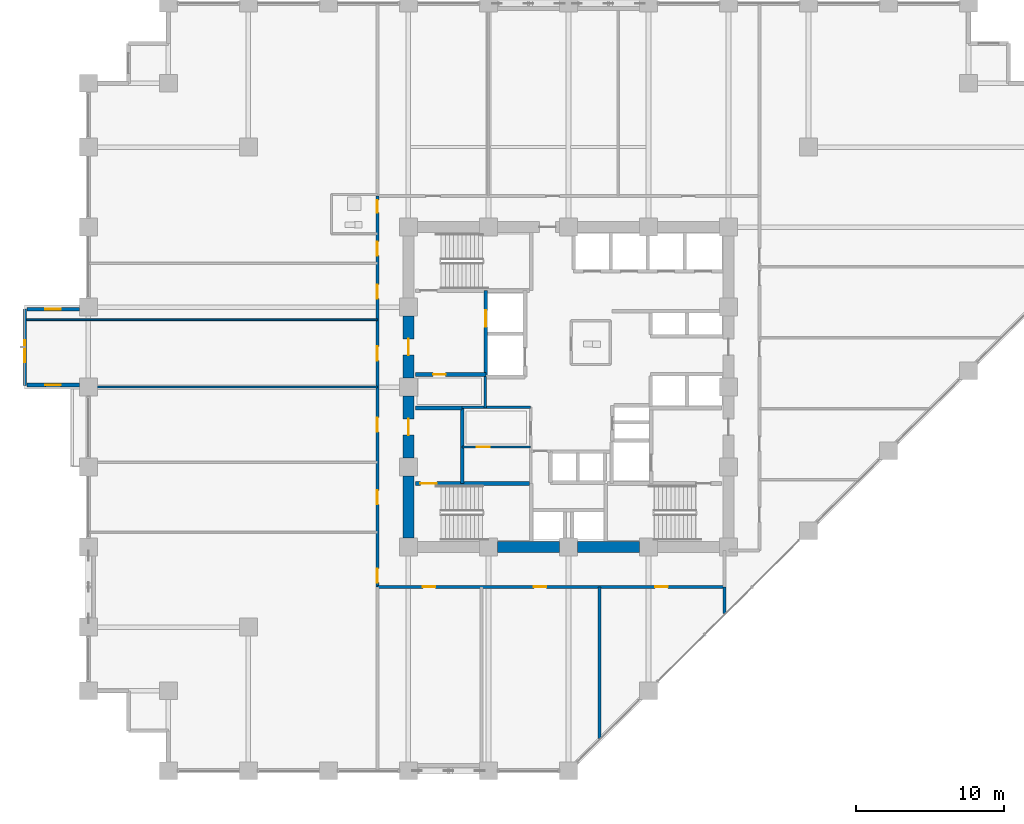
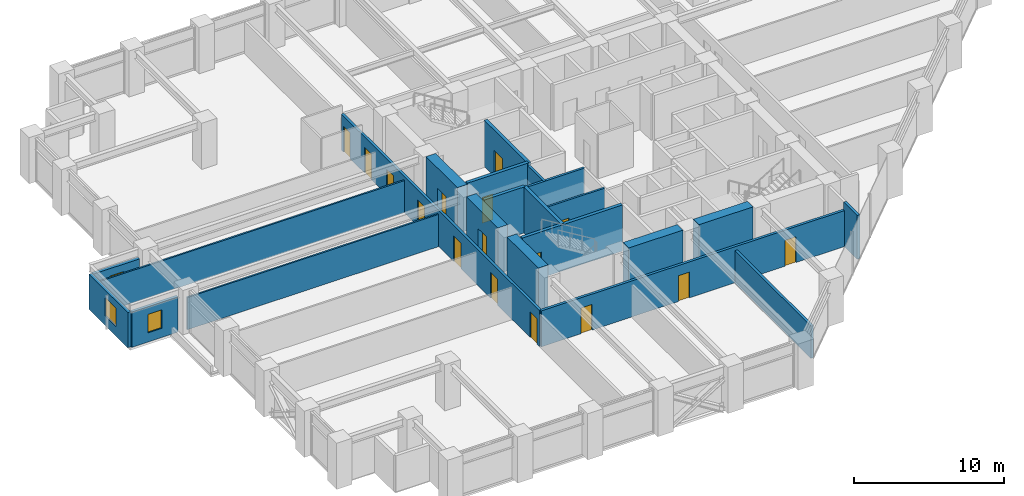
# One storey, part 21 of 28: 22 walls, 16 doors, 3 windows, 19 openings.
"""IFC4 building model written with IfcOpenShell, lengths in metres."""

from ifc_helpers import new_model, si_unit, direction, frame, frame_2d, origin, place, context, subcontext, project, spatial, rectangle, extrude, material, layer, layer_set, type_object, element, fill, save


model = new_model("IFC4")

# Units and contexts
model_context = context("Model", 3, precision=1e-05, world=origin(), true_north=direction((0.0, 1.0)))
body_context = subcontext(model_context, "Body", "Model", "MODEL_VIEW")
ifc_project = project(units=[si_unit("LENGTHUNIT", "METRE"), si_unit("AREAUNIT", "SQUARE_METRE"), si_unit("VOLUMEUNIT", "CUBIC_METRE"), si_unit("PLANEANGLEUNIT", "RADIAN"), si_unit("MASSUNIT", "GRAM", prefix="KILO")], contexts=[model_context])

# Site, building, storey
site_placement = place(None, origin())
site = spatial("IfcSite", under=ifc_project, at=site_placement, CompositionType="ELEMENT")
building_placement = place(site_placement, origin())
building = spatial("IfcBuilding", under=site, at=building_placement, Name="Surkhivell Harbour Commons", CompositionType="ELEMENT")
storey_placement = place(building_placement, frame((0.0, 0.0, 63.75)))
storey = spatial("IfcBuildingStorey", under=building, at=storey_placement, Name="L16", CompositionType="ELEMENT", Elevation=63.75)

# Walls
ifc_material_1 = material(Name="Concrete C60/75", Category="concrete")
ifc_layer_1 = layer(ifc_material_1, 0.75)
ifc_layer_set_1 = layer_set([ifc_layer_1], Name="Concrete C60/75")
wall_type_1 = type_object("IfcWallType", Name="WAL-CORE-750", PredefinedType="SHEAR", material=ifc_layer_set_1)
for number, where, z_axis, x_axis, name in (
    (1, (-10.800048828125, -10.18994140625, 0.0), (0.0, 0.0, 1.0), (0.0, 1.0, 0.0), "L16 Core Shear Wall West 1"),
    (2, (-4.7900390625, -10.800048828125, 0.0), (0.0, 0.0, 1.0), (1.0, 0.0, 0.0), "L16 Core Shear Wall South 2"),
):
    element("IfcWall", number, at=place(storey_placement, frame(where, z_axis=z_axis, x_axis=x_axis)), inside=storey, type_object=wall_type_1, Name=name, PredefinedType="SHEAR", context=body_context, shape_type="SweptSolid", body=[
        extrude(rectangle(XDim=4.179931640625, YDim=0.75, at=frame_2d((2.08984375, 0.0))), origin(), (0.0, 0.0, 1.0), 3.75),
    ])

# Wall, opening, door
wall_1_placement = place(storey_placement, frame((-10.800048828125, -4.7900390625, 0.0), z_axis=(0.0, 0.0, 1.0), x_axis=(0.0, 1.0, 0.0)))
wall_1 = element("IfcWall", 3, at=wall_1_placement, inside=storey, type_object=wall_type_1, Name="L16 Core Shear Wall West 2", PredefinedType="SHEAR", context=body_context, shape_type="SweptSolid", body=[
    extrude(rectangle(XDim=4.179931640625, YDim=0.75, at=frame_2d((2.08984375, 0.0))), origin(), (0.0, 0.0, 1.0), 3.75),
])
opening_1_placement = place(wall_1_placement, frame((1.5400390625, 0.0, 0.0)))
opening_1 = element("IfcOpeningElement", 4, at=opening_1_placement, cuts=wall_1, Name="Opening ID-2", PredefinedType="OPENING", context=body_context, shape_type="SweptSolid", body=[
    extrude(rectangle(XDim=1.10009765625, YDim=2.10009765625, at=frame_2d((0.550048828125, 1.050048828125))), frame((0.0, 0.385009765625, 0.0), z_axis=(0.0, -1.0, 0.0), x_axis=(1.0, 0.0, 0.0)), (0.0, 0.0, 1.0), 0.77001953125),
])
ifc_material_2 = material(Name="Hardwood-veneered fire-rated door leaf", Category="wood")
door_type_1 = type_object("IfcDoorType", Name="DOR-FD60-1100", OperationType="NOTDEFINED", PredefinedType="DOOR", material=ifc_material_2)
door_1_placement = place(opening_1_placement, origin())
door_1 = element("IfcDoor", 5, at=door_1_placement, inside=storey, type_object=door_type_1, Name="L16 Stair 3 Lobby Corridor Door", OperationType="SINGLE_SWING_LEFT", OverallHeight=2.10009765625, OverallWidth=1.10009765625, PredefinedType="DOOR", context=body_context, shape_type="SweptSolid", body=[
    extrude(rectangle(XDim=1.10009765625, YDim=2.10009765625, at=frame_2d((0.550048828125, 1.050048828125))), frame((0.0, 0.02490234375, 0.0), z_axis=(0.0, -1.0, 0.0), x_axis=(1.0, 0.0, 0.0)), (0.0, 0.0, 1.0), 0.050048828125),
])
fill(opening_1, door_1)

# Wall
wall_2_placement = place(storey_placement, frame((0.610107421875, -10.800048828125, 0.0), z_axis=(0.0, 0.0, 1.0), x_axis=(1.0, 0.0, 0.0)))
element("IfcWall", 6, at=wall_2_placement, inside=storey, type_object=wall_type_1, Name="L16 Core Shear Wall South 3", PredefinedType="SHEAR", context=body_context, shape_type="SweptSolid", body=[
    extrude(rectangle(XDim=4.179931640625, YDim=0.75, at=frame_2d((2.08984375, 0.0))), origin(), (0.0, 0.0, 1.0), 3.75),
])

# Wall, opening, door
wall_3_placement = place(storey_placement, frame((-10.800048828125, 0.610107421875, 0.0), z_axis=(0.0, 0.0, 1.0), x_axis=(0.0, 1.0, 0.0)))
wall_3 = element("IfcWall", 7, at=wall_3_placement, inside=storey, type_object=wall_type_1, Name="L16 Core Shear Wall West 3", PredefinedType="SHEAR", context=body_context, shape_type="SweptSolid", body=[
    extrude(rectangle(XDim=4.179931640625, YDim=0.75, at=frame_2d((2.08984375, 0.0))), origin(), (0.0, 0.0, 1.0), 3.75),
])
opening_2_placement = place(wall_3_placement, frame((1.5400390625, 0.0, 0.0)))
opening_2 = element("IfcOpeningElement", 8, at=opening_2_placement, cuts=wall_3, Name="Opening ID-1", PredefinedType="OPENING", context=body_context, shape_type="SweptSolid", body=[
    extrude(rectangle(XDim=1.10009765625, YDim=2.10009765625, at=frame_2d((0.550048828125, 1.050048828125))), frame((0.0, 0.385009765625, 0.0), z_axis=(0.0, -1.0, 0.0), x_axis=(1.0, 0.0, 0.0)), (0.0, 0.0, 1.0), 0.77001953125),
])
door_type_2 = type_object("IfcDoorType", Name="DOR-FD120-1100", OperationType="NOTDEFINED", PredefinedType="DOOR", material=ifc_material_2)
door_2_placement = place(opening_2_placement, origin())
door_2 = element("IfcDoor", 9, at=door_2_placement, inside=storey, type_object=door_type_2, Name="L16 Firefighting Lobby 1 Corridor Door", OperationType="SINGLE_SWING_LEFT", OverallHeight=2.10009765625, OverallWidth=1.10009765625, PredefinedType="DOOR", context=body_context, shape_type="SweptSolid", body=[
    extrude(rectangle(XDim=1.10009765625, YDim=2.10009765625, at=frame_2d((0.550048828125, 1.050048828125))), frame((0.0, 0.02490234375, 0.0), z_axis=(0.0, -1.0, 0.0), x_axis=(1.0, 0.0, 0.0)), (0.0, 0.0, 1.0), 0.050048828125),
])
fill(opening_2, door_2)

# Wall, opening, window
ifc_material_3 = material(Name="Bronze-ochre cassette precast concrete C45/55", Category="concrete")
ifc_layer_2 = layer(ifc_material_3, 0.239990234375)
ifc_layer_set_2 = layer_set([ifc_layer_2], Name="Bronze-ochre cassette precast concrete C45/55")
wall_type_2 = type_object("IfcWallType", Name="WAL-EXT-OCH240", PredefinedType="STANDARD", material=ifc_layer_set_2)
wall_4_placement = place(storey_placement, frame((-36.699951171875, 5.280029296875, 0.0), z_axis=(0.0, 0.0, 1.0), x_axis=(0.0, -1.0, 0.0)))
wall_4 = element("IfcWall", 10, at=wall_4_placement, inside=storey, type_object=wall_type_2, Name="L16 Coloured Box Front Wall 02", PredefinedType="STANDARD", context=body_context, shape_type="SweptSolid", body=[
    extrude(rectangle(XDim=5.159912109375, YDim=0.239990234375, at=frame_2d((2.580078125, 0.0))), origin(), (0.0, 0.0, 1.0), 2.85693359375),
])
opening_3_placement = place(wall_4_placement, frame((2.110107421875, 0.0, 0.75)))
opening_3 = element("IfcOpeningElement", 11, at=opening_3_placement, cuts=wall_4, Name="Opening WN-13", PredefinedType="OPENING", context=body_context, shape_type="SweptSolid", body=[
    extrude(rectangle(XDim=1.5, YDim=1.5, at=frame_2d((0.75, 0.75))), frame((0.0, 0.1298828125, 0.0), z_axis=(0.0, -1.0, 0.0), x_axis=(1.0, 0.0, 0.0)), (0.0, 0.0, 1.0), 0.260009765625),
])
ifc_material_4 = material(Name="Thermal-break aluminium frame and double low-E glazing", Category="aluminium")
window_type_1 = type_object("IfcWindowType", Name="WIN-BOX-1500x1500", PartitioningType="SINGLE_PANEL", PredefinedType="WINDOW", material=ifc_material_4)
window_1_placement = place(opening_3_placement, origin())
window_1 = element("IfcWindow", 12, at=window_1_placement, inside=storey, type_object=window_type_1, Name="L16 Coloured Box Square Window 02-1", OverallHeight=1.5, OverallWidth=1.5, PartitioningType="SINGLE_PANEL", PredefinedType="WINDOW", context=body_context, shape_type="SweptSolid", body=[
    extrude(rectangle(XDim=1.5, YDim=1.5, at=frame_2d((0.75, 0.75))), frame((0.0, 0.030029296875, 0.0), z_axis=(0.0, -1.0, 0.0), x_axis=(1.0, 0.0, 0.0)), (0.0, 0.0, 1.0), 0.06005859375),
])
fill(opening_3, window_1)

wall_5_placement = place(storey_placement, frame((-36.56005859375, 0.139892578125, 0.0), z_axis=(0.0, 0.0, 1.0), x_axis=(1.0, 0.0, 0.0)))
wall_5 = element("IfcWall", 13, at=wall_5_placement, inside=storey, type_object=wall_type_2, Name="L16 Coloured Box Return Wall 02S", PredefinedType="STANDARD", context=body_context, shape_type="SweptSolid", body=[
    extrude(rectangle(XDim=3.55615234375, YDim=0.239990234375, at=frame_2d((1.778076171875, 0.0))), origin(), (0.0, 0.0, 1.0), 2.85693359375),
])
opening_4_placement = place(wall_5_placement, frame((1.2529296875, 0.0, 0.75)))
opening_4 = element("IfcOpeningElement", 14, at=opening_4_placement, cuts=wall_5, Name="Opening WN-11", PredefinedType="OPENING", context=body_context, shape_type="SweptSolid", body=[
    extrude(rectangle(XDim=1.050048828125, YDim=1.5, at=frame_2d((0.52490234375, 0.75))), frame((0.0, 0.1298828125, 0.0), z_axis=(0.0, -1.0, 0.0), x_axis=(1.0, 0.0, 0.0)), (0.0, 0.0, 1.0), 0.260009765625),
])
window_type_2 = type_object("IfcWindowType", Name="WIN-SER-1050x1500", PartitioningType="SINGLE_PANEL", PredefinedType="WINDOW", material=ifc_material_4)
window_2_placement = place(opening_4_placement, origin())
window_2 = element("IfcWindow", 15, at=window_2_placement, inside=storey, type_object=window_type_2, Name="L16 Coloured Box Return Window 02S", OverallHeight=1.5, OverallWidth=1.050048828125, PartitioningType="SINGLE_PANEL", PredefinedType="WINDOW", context=body_context, shape_type="SweptSolid", body=[
    extrude(rectangle(XDim=1.050048828125, YDim=1.5, at=frame_2d((0.52490234375, 0.75))), frame((0.0, 0.030029296875, 0.0), z_axis=(0.0, -1.0, 0.0), x_axis=(1.0, 0.0, 0.0)), (0.0, 0.0, 1.0), 0.06005859375),
])
fill(opening_4, window_2)

wall_6_placement = place(storey_placement, frame((-36.56005859375, 5.260009765625, 0.0), z_axis=(0.0, 0.0, 1.0), x_axis=(1.0, 0.0, 0.0)))
wall_6 = element("IfcWall", 16, at=wall_6_placement, inside=storey, type_object=wall_type_2, Name="L16 Coloured Box Return Wall 02N", PredefinedType="STANDARD", context=body_context, shape_type="SweptSolid", body=[
    extrude(rectangle(XDim=3.55615234375, YDim=0.239990234375, at=frame_2d((1.778076171875, 0.0))), origin(), (0.0, 0.0, 1.0), 2.85693359375),
])
opening_5_placement = place(wall_6_placement, frame((1.2529296875, 0.0, 0.75)))
opening_5 = element("IfcOpeningElement", 17, at=opening_5_placement, cuts=wall_6, Name="Opening WN-11", PredefinedType="OPENING", context=body_context, shape_type="SweptSolid", body=[
    extrude(rectangle(XDim=1.050048828125, YDim=1.5, at=frame_2d((0.52490234375, 0.75))), frame((0.0, 0.1298828125, 0.0), z_axis=(0.0, -1.0, 0.0), x_axis=(1.0, 0.0, 0.0)), (0.0, 0.0, 1.0), 0.260009765625),
])
window_3_placement = place(opening_5_placement, origin())
window_3 = element("IfcWindow", 18, at=window_3_placement, inside=storey, type_object=window_type_2, Name="L16 Coloured Box Return Window 02N", OverallHeight=1.5, OverallWidth=1.050048828125, PartitioningType="SINGLE_PANEL", PredefinedType="WINDOW", context=body_context, shape_type="SweptSolid", body=[
    extrude(rectangle(XDim=1.050048828125, YDim=1.5, at=frame_2d((0.52490234375, 0.75))), frame((0.0, 0.030029296875, 0.0), z_axis=(0.0, -1.0, 0.0), x_axis=(1.0, 0.0, 0.0)), (0.0, 0.0, 1.0), 0.06005859375),
])
fill(opening_5, window_3)

# Walls
ifc_material_5 = material(Name="Moisture-resistant acoustic stud partition", Category="other")
ifc_layer_3 = layer(ifc_material_5, 0.125)
ifc_layer_set_3 = layer_set([ifc_layer_3], Name="Moisture-resistant acoustic stud partition")
wall_type_3 = type_object("IfcWallType", Name="WAL-INT-125", PredefinedType="PARTITIONING", material=ifc_layer_set_3)
wall_7_placement = place(storey_placement, frame((-32.340087890625, 0.0, 0.0), z_axis=(0.0, 0.0, 1.0), x_axis=(1.0, 0.0, 0.0)))
element("IfcWall", 19, at=wall_7_placement, inside=storey, type_object=wall_type_3, Name="L16 West Partition BDP2", PredefinedType="PARTITIONING", context=body_context, shape_type="SweptSolid", body=[
    extrude(rectangle(XDim=19.440185546875, YDim=0.125, at=frame_2d((9.72021484375, 0.0))), origin(), (0.0, 0.0, 1.0), 2.623046875),
])
wall_8_placement = place(storey_placement, frame((-36.639892578125, 4.5400390625, 0.0), z_axis=(0.0, 0.0, 1.0), x_axis=(1.0, 0.0, 0.0)))
element("IfcWall", 20, at=wall_8_placement, inside=storey, type_object=wall_type_3, Name="L16 West Partition BDP3", PredefinedType="PARTITIONING", context=body_context, shape_type="SweptSolid", body=[
    extrude(rectangle(XDim=23.739990234375, YDim=0.125, at=frame_2d((11.8701171875, 0.0))), origin(), (0.0, 0.0, 1.0), 2.623046875),
])

# Wall, opening, door
ifc_material_6 = material(Name="Twin-stud acoustic fireboard partition", Category="other")
ifc_layer_4 = layer(ifc_material_6, 0.14990234375)
ifc_layer_set_4 = layer_set([ifc_layer_4], Name="Twin-stud acoustic fireboard partition")
wall_type_4 = type_object("IfcWallType", Name="WAL-INT-150", PredefinedType="PARTITIONING", material=ifc_layer_set_4)
wall_9_placement = place(storey_placement, frame((-7.179931640625, -4.050048828125, 0.0), z_axis=(0.0, 0.0, 1.0), x_axis=(1.0, 0.0, 0.0)))
wall_9 = element("IfcWall", 21, at=wall_9_placement, inside=storey, type_object=wall_type_4, Name="L16 Core Cut A Partition", PredefinedType="PARTITIONING", context=body_context, shape_type="SweptSolid", body=[
    extrude(rectangle(XDim=4.6298828125, YDim=0.14990234375, at=frame_2d((2.31494140625, 0.0))), origin(), (0.0, 0.0, 1.0), 3.570068359375),
])
opening_6_placement = place(wall_9_placement, frame((1.0, 0.0, 0.0)))
opening_6 = element("IfcOpeningElement", 22, at=opening_6_placement, cuts=wall_9, Name="Opening ID-6", PredefinedType="OPENING", context=body_context, shape_type="SweptSolid", body=[
    extrude(rectangle(XDim=0.85009765625, YDim=2.10009765625, at=frame_2d((0.425048828125, 1.050048828125))), frame((0.0, 0.0849609375, 0.0), z_axis=(0.0, -1.0, 0.0), x_axis=(1.0, 0.0, 0.0)), (0.0, 0.0, 1.0), 0.169921875),
])
door_type_3 = type_object("IfcDoorType", Name="DOR-FD30-850", OperationType="NOTDEFINED", PredefinedType="DOOR", material=ifc_material_2)
door_3_placement = place(opening_6_placement, origin())
door_3 = element("IfcDoor", 23, at=door_3_placement, inside=storey, type_object=door_type_3, Name="L16 Linen Room Door", OperationType="SINGLE_SWING_RIGHT", OverallHeight=2.10009765625, OverallWidth=0.85009765625, PredefinedType="DOOR", context=body_context, shape_type="SweptSolid", body=[
    extrude(rectangle(XDim=0.85009765625, YDim=2.10009765625, at=frame_2d((0.425048828125, 1.050048828125))), frame((0.0, 0.02490234375, 0.0), z_axis=(0.0, -1.0, 0.0), x_axis=(1.0, 0.0, 0.0)), (0.0, 0.0, 1.0), 0.050048828125),
])
fill(opening_6, door_3)

# Walls
ifc_material_7 = material(Name="High-density acoustic blockwork fire partition", Category="masonry")
ifc_layer_5 = layer(ifc_material_7, 0.175048828125)
ifc_layer_set_5 = layer_set([ifc_layer_5], Name="High-density acoustic blockwork fire partition")
wall_type_5 = type_object("IfcWallType", Name="WAL-INT-175", PredefinedType="PARTITIONING", material=ifc_layer_set_5)
wall_10_placement = place(storey_placement, frame((-7.179931640625, -1.35009765625, 0.0), z_axis=(0.0, 0.0, 1.0), x_axis=(1.0, 0.0, 0.0)))
element("IfcWall", 24, at=wall_10_placement, inside=storey, type_object=wall_type_5, Name="L16 Core Service Bay North Wall", PredefinedType="PARTITIONING", context=body_context, shape_type="SweptSolid", body=[
    extrude(rectangle(XDim=4.6298828125, YDim=0.175048828125, at=frame_2d((2.31494140625, 0.0))), origin(), (0.0, 0.0, 1.0), 3.570068359375),
])
wall_11_placement = place(storey_placement, frame((-5.6201171875, -1.419921875, 0.0), z_axis=(0.0, 0.0, 1.0), x_axis=(0.0, 1.0, 0.0)))
element("IfcWall", 25, at=wall_11_placement, inside=storey, type_object=wall_type_5, Name="L16 West Core Bay East Wall", PredefinedType="PARTITIONING", context=body_context, shape_type="SweptSolid", body=[
    extrude(rectangle(XDim=2.139892578125, YDim=0.175048828125, at=frame_2d((1.06982421875, 0.0))), origin(), (0.0, 0.0, 1.0), 3.570068359375),
])
ifc_material_8 = material(Name="Autoclaved aerated concrete blockwork and fire plaster", Category="masonry")
ifc_layer_6 = layer(ifc_material_8, 0.199951171875)
ifc_layer_set_6 = layer_set([ifc_layer_6], Name="Autoclaved aerated concrete blockwork and fire plaster")
wall_type_6 = type_object("IfcWallType", Name="WAL-INT-200", PredefinedType="PARTITIONING", material=ifc_layer_set_6)
wall_12_placement = place(storey_placement, frame((10.52001953125, -15.295166015625, 0.0), z_axis=(0.0, 0.0, 1.0), x_axis=(0.0, 1.0, 0.0)))
element("IfcWall", 26, at=wall_12_placement, inside=storey, type_object=wall_type_6, Name="L16 South-East Wing Corner Divider", PredefinedType="PARTITIONING", context=body_context, shape_type="SweptSolid", body=[
    extrude(rectangle(XDim=1.815185546875, YDim=0.199951171875, at=frame_2d((0.90771484375, 0.0))), origin(), (0.0, 0.0, 1.0), 3.570068359375),
])

# Wall, openings, doors
wall_13_placement = place(storey_placement, frame((-12.89990234375, -13.47998046875, 0.0), z_axis=(0.0, 0.0, 1.0), x_axis=(1.0, 0.0, 0.0)))
wall_13 = element("IfcWall", 27, at=wall_13_placement, inside=storey, type_object=wall_type_6, Name="L16 Corridor South Wall", PredefinedType="PARTITIONING", context=body_context, shape_type="SweptSolid", body=[
    extrude(rectangle(XDim=23.419921875, YDim=0.199951171875, at=frame_2d((11.7099609375, 0.0))), origin(), (0.0, 0.0, 1.0), 2.929931640625),
])
opening_7_placement = place(wall_13_placement, frame((3.06494140625, 0.0, 0.0)))
opening_7 = element("IfcOpeningElement", 28, at=opening_7_placement, cuts=wall_13, Name="Opening ID-6", PredefinedType="OPENING", context=body_context, shape_type="SweptSolid", body=[
    extrude(rectangle(XDim=0.85009765625, YDim=2.10009765625, at=frame_2d((0.425048828125, 1.050048828125))), frame((0.0, 0.10986328125, 0.0), z_axis=(0.0, -1.0, 0.0), x_axis=(1.0, 0.0, 0.0)), (0.0, 0.0, 1.0), 0.219970703125),
])
opening_8_placement = place(wall_13_placement, frame((10.56005859375, 0.0, 0.0)))
opening_8 = element("IfcOpeningElement", 29, at=opening_8_placement, cuts=wall_13, Name="Opening ID-6", PredefinedType="OPENING", context=body_context, shape_type="SweptSolid", body=[
    extrude(rectangle(XDim=0.85009765625, YDim=2.10009765625, at=frame_2d((0.425048828125, 1.050048828125))), frame((0.0, 0.10986328125, 0.0), z_axis=(0.0, -1.0, 0.0), x_axis=(1.0, 0.0, 0.0)), (0.0, 0.0, 1.0), 0.219970703125),
])
opening_9_placement = place(wall_13_placement, frame((18.7548828125, 0.0, 0.0)))
opening_9 = element("IfcOpeningElement", 30, at=opening_9_placement, cuts=wall_13, Name="Opening ID-6", PredefinedType="OPENING", context=body_context, shape_type="SweptSolid", body=[
    extrude(rectangle(XDim=0.85009765625, YDim=2.10009765625, at=frame_2d((0.425048828125, 1.050048828125))), frame((0.0, 0.10986328125, 0.0), z_axis=(0.0, -1.0, 0.0), x_axis=(1.0, 0.0, 0.0)), (0.0, 0.0, 1.0), 0.219970703125),
])
door_4_placement = place(opening_7_placement, origin())
door_4 = element("IfcDoor", 31, at=door_4_placement, inside=storey, type_object=door_type_3, Name="L16 Resident Tutor Staff Room 1 South Door", OperationType="SINGLE_SWING_LEFT", OverallHeight=2.10009765625, OverallWidth=0.85009765625, PredefinedType="DOOR", context=body_context, shape_type="SweptSolid", body=[
    extrude(rectangle(XDim=0.85009765625, YDim=2.10009765625, at=frame_2d((0.425048828125, 1.050048828125))), frame((0.0, 0.02490234375, 0.0), z_axis=(0.0, -1.0, 0.0), x_axis=(1.0, 0.0, 0.0)), (0.0, 0.0, 1.0), 0.050048828125),
])
fill(opening_7, door_4)
door_5_placement = place(opening_8_placement, origin())
door_5 = element("IfcDoor", 32, at=door_5_placement, inside=storey, type_object=door_type_3, Name="L16 Resident Warden Staff Office 2 South Door", OperationType="SINGLE_SWING_RIGHT", OverallHeight=2.10009765625, OverallWidth=0.85009765625, PredefinedType="DOOR", context=body_context, shape_type="SweptSolid", body=[
    extrude(rectangle(XDim=0.85009765625, YDim=2.10009765625, at=frame_2d((0.425048828125, 1.050048828125))), frame((0.0, 0.02490234375, 0.0), z_axis=(0.0, -1.0, 0.0), x_axis=(1.0, 0.0, 0.0)), (0.0, 0.0, 1.0), 0.050048828125),
])
fill(opening_8, door_5)
door_6_placement = place(opening_9_placement, origin())
door_6 = element("IfcDoor", 33, at=door_6_placement, inside=storey, type_object=door_type_3, Name="L16 Campus Bursar Staff Office 3 South Door", OperationType="SINGLE_SWING_LEFT", OverallHeight=2.10009765625, OverallWidth=0.85009765625, PredefinedType="DOOR", context=body_context, shape_type="SweptSolid", body=[
    extrude(rectangle(XDim=0.85009765625, YDim=2.10009765625, at=frame_2d((0.425048828125, 1.050048828125))), frame((0.0, 0.02490234375, 0.0), z_axis=(0.0, -1.0, 0.0), x_axis=(1.0, 0.0, 0.0)), (0.0, 0.0, 1.0), 0.050048828125),
])
fill(opening_9, door_6)

wall_14_placement = place(storey_placement, frame((-12.89990234375, -13.47998046875, 0.0), z_axis=(0.0, 0.0, 1.0), x_axis=(0.0, 1.0, 0.0)))
wall_14 = element("IfcWall", 34, at=wall_14_placement, inside=storey, type_object=wall_type_6, Name="L16 Corridor West Wall", PredefinedType="PARTITIONING", context=body_context, shape_type="SweptSolid", body=[
    extrude(rectangle(XDim=26.3798828125, YDim=0.199951171875, at=frame_2d((13.18994140625, 0.0))), origin(), (0.0, 0.0, 1.0), 2.929931640625),
])
opening_10_placement = place(wall_14_placement, frame((0.280029296875, 0.0, 0.0)))
opening_10 = element("IfcOpeningElement", 35, at=opening_10_placement, cuts=wall_14, Name="Opening ID-4", PredefinedType="OPENING", context=body_context, shape_type="SweptSolid", body=[
    extrude(rectangle(XDim=0.949951171875, YDim=2.10009765625, at=frame_2d((0.47509765625, 1.050048828125))), frame((0.0, 0.10986328125, 0.0), z_axis=(0.0, -1.0, 0.0), x_axis=(1.0, 0.0, 0.0)), (0.0, 0.0, 1.0), 0.219970703125),
])
opening_11_placement = place(wall_14_placement, frame((25.25, 0.0, 0.0)))
opening_11 = element("IfcOpeningElement", 36, at=opening_11_placement, cuts=wall_14, Name="Opening ID-6", PredefinedType="OPENING", context=body_context, shape_type="SweptSolid", body=[
    extrude(rectangle(XDim=0.85009765625, YDim=2.10009765625, at=frame_2d((0.425048828125, 1.050048828125))), frame((0.0, 0.10986328125, 0.0), z_axis=(0.0, -1.0, 0.0), x_axis=(1.0, 0.0, 0.0)), (0.0, 0.0, 1.0), 0.219970703125),
])
opening_12_placement = place(wall_14_placement, frame((22.35009765625, 0.0, 0.0)))
opening_12 = element("IfcOpeningElement", 37, at=opening_12_placement, cuts=wall_14, Name="Opening ID-4", PredefinedType="OPENING", context=body_context, shape_type="SweptSolid", body=[
    extrude(rectangle(XDim=0.949951171875, YDim=2.10009765625, at=frame_2d((0.47509765625, 1.050048828125))), frame((0.0, 0.10986328125, 0.0), z_axis=(0.0, -1.0, 0.0), x_axis=(1.0, 0.0, 0.0)), (0.0, 0.0, 1.0), 0.219970703125),
])
opening_13_placement = place(wall_14_placement, frame((5.56005859375, 0.0, 0.0)))
opening_13 = element("IfcOpeningElement", 38, at=opening_13_placement, cuts=wall_14, Name="Opening ID-4", PredefinedType="OPENING", context=body_context, shape_type="SweptSolid", body=[
    extrude(rectangle(XDim=0.949951171875, YDim=2.10009765625, at=frame_2d((0.47509765625, 1.050048828125))), frame((0.0, 0.10986328125, 0.0), z_axis=(0.0, -1.0, 0.0), x_axis=(1.0, 0.0, 0.0)), (0.0, 0.0, 1.0), 0.219970703125),
])
opening_14_placement = place(wall_14_placement, frame((10.4599609375, 0.0, 0.0)))
opening_14 = element("IfcOpeningElement", 39, at=opening_14_placement, cuts=wall_14, Name="Opening ID-4", PredefinedType="OPENING", context=body_context, shape_type="SweptSolid", body=[
    extrude(rectangle(XDim=0.949951171875, YDim=2.10009765625, at=frame_2d((0.47509765625, 1.050048828125))), frame((0.0, 0.10986328125, 0.0), z_axis=(0.0, -1.0, 0.0), x_axis=(1.0, 0.0, 0.0)), (0.0, 0.0, 1.0), 0.219970703125),
])
opening_15_placement = place(wall_14_placement, frame((15.27001953125, 0.0, 0.0)))
opening_15 = element("IfcOpeningElement", 40, at=opening_15_placement, cuts=wall_14, Name="Opening ID-4", PredefinedType="OPENING", context=body_context, shape_type="SweptSolid", body=[
    extrude(rectangle(XDim=0.949951171875, YDim=2.10009765625, at=frame_2d((0.47509765625, 1.050048828125))), frame((0.0, 0.10986328125, 0.0), z_axis=(0.0, -1.0, 0.0), x_axis=(1.0, 0.0, 0.0)), (0.0, 0.0, 1.0), 0.219970703125),
])
opening_16_placement = place(wall_14_placement, frame((19.445068359375, 0.0, 0.0)))
opening_16 = element("IfcOpeningElement", 41, at=opening_16_placement, cuts=wall_14, Name="Opening ID-4", PredefinedType="OPENING", context=body_context, shape_type="SweptSolid", body=[
    extrude(rectangle(XDim=0.949951171875, YDim=2.10009765625, at=frame_2d((0.47509765625, 1.050048828125))), frame((0.0, 0.10986328125, 0.0), z_axis=(0.0, -1.0, 0.0), x_axis=(1.0, 0.0, 0.0)), (0.0, 0.0, 1.0), 0.219970703125),
])
door_7_placement = place(opening_11_placement, origin())
door_7 = element("IfcDoor", 42, at=door_7_placement, inside=storey, type_object=door_type_3, Name="L16 Communal Shower Bathroom West Door", OperationType="SINGLE_SWING_LEFT", OverallHeight=2.10009765625, OverallWidth=0.85009765625, PredefinedType="DOOR", context=body_context, shape_type="SweptSolid", body=[
    extrude(rectangle(XDim=0.85009765625, YDim=2.10009765625, at=frame_2d((0.425048828125, 1.050048828125))), frame((0.0, 0.02490234375, 0.0), z_axis=(0.0, -1.0, 0.0), x_axis=(1.0, 0.0, 0.0)), (0.0, 0.0, 1.0), 0.050048828125),
])
fill(opening_11, door_7)
door_type_4 = type_object("IfcDoorType", Name="DOR-FD60-950", OperationType="NOTDEFINED", PredefinedType="DOOR", material=ifc_material_2)
door_8_placement = place(opening_10_placement, origin())
door_8 = element("IfcDoor", 43, at=door_8_placement, inside=storey, type_object=door_type_4, Name="L16 Shared Communal Kitchen West Door", OperationType="SINGLE_SWING_RIGHT", OverallHeight=2.10009765625, OverallWidth=0.949951171875, PredefinedType="DOOR", context=body_context, shape_type="SweptSolid", body=[
    extrude(rectangle(XDim=0.949951171875, YDim=2.10009765625, at=frame_2d((0.47509765625, 1.050048828125))), frame((0.0, 0.02490234375, 0.0), z_axis=(0.0, -1.0, 0.0), x_axis=(1.0, 0.0, 0.0)), (0.0, 0.0, 1.0), 0.050048828125),
])
fill(opening_10, door_8)
door_9_placement = place(opening_12_placement, origin())
door_9 = element("IfcDoor", 44, at=door_9_placement, inside=storey, type_object=door_type_4, Name="L16 Academic Reading Commons West Door", OperationType="SINGLE_SWING_RIGHT", OverallHeight=2.10009765625, OverallWidth=0.949951171875, PredefinedType="DOOR", context=body_context, shape_type="SweptSolid", body=[
    extrude(rectangle(XDim=0.949951171875, YDim=2.10009765625, at=frame_2d((0.47509765625, 1.050048828125))), frame((0.0, 0.02490234375, 0.0), z_axis=(0.0, -1.0, 0.0), x_axis=(1.0, 0.0, 0.0)), (0.0, 0.0, 1.0), 0.050048828125),
])
fill(opening_12, door_9)
door_10_placement = place(opening_13_placement, origin())
door_10 = element("IfcDoor", 45, at=door_10_placement, inside=storey, type_object=door_type_4, Name="L16 Hostel Cluster Bedroom 1 West Door", OperationType="SINGLE_SWING_LEFT", OverallHeight=2.10009765625, OverallWidth=0.949951171875, PredefinedType="DOOR", context=body_context, shape_type="SweptSolid", body=[
    extrude(rectangle(XDim=0.949951171875, YDim=2.10009765625, at=frame_2d((0.47509765625, 1.050048828125))), frame((0.0, 0.02490234375, 0.0), z_axis=(0.0, -1.0, 0.0), x_axis=(1.0, 0.0, 0.0)), (0.0, 0.0, 1.0), 0.050048828125),
])
fill(opening_13, door_10)
door_11_placement = place(opening_14_placement, origin())
door_11 = element("IfcDoor", 46, at=door_11_placement, inside=storey, type_object=door_type_4, Name="L16 Co-Living Dormitory Bedroom 2 West Door", OperationType="SINGLE_SWING_RIGHT", OverallHeight=2.10009765625, OverallWidth=0.949951171875, PredefinedType="DOOR", context=body_context, shape_type="SweptSolid", body=[
    extrude(rectangle(XDim=0.949951171875, YDim=2.10009765625, at=frame_2d((0.47509765625, 1.050048828125))), frame((0.0, 0.02490234375, 0.0), z_axis=(0.0, -1.0, 0.0), x_axis=(1.0, 0.0, 0.0)), (0.0, 0.0, 1.0), 0.050048828125),
])
fill(opening_14, door_11)
door_12_placement = place(opening_15_placement, origin())
door_12 = element("IfcDoor", 47, at=door_12_placement, inside=storey, type_object=door_type_4, Name="L16 Hostel Cluster Bedroom 3 West Door", OperationType="SINGLE_SWING_LEFT", OverallHeight=2.10009765625, OverallWidth=0.949951171875, PredefinedType="DOOR", context=body_context, shape_type="SweptSolid", body=[
    extrude(rectangle(XDim=0.949951171875, YDim=2.10009765625, at=frame_2d((0.47509765625, 1.050048828125))), frame((0.0, 0.02490234375, 0.0), z_axis=(0.0, -1.0, 0.0), x_axis=(1.0, 0.0, 0.0)), (0.0, 0.0, 1.0), 0.050048828125),
])
fill(opening_15, door_12)
door_13_placement = place(opening_16_placement, origin())
door_13 = element("IfcDoor", 48, at=door_13_placement, inside=storey, type_object=door_type_4, Name="L16 Co-Living Dormitory Bedroom 4 West Door", OperationType="SINGLE_SWING_RIGHT", OverallHeight=2.10009765625, OverallWidth=0.949951171875, PredefinedType="DOOR", context=body_context, shape_type="SweptSolid", body=[
    extrude(rectangle(XDim=0.949951171875, YDim=2.10009765625, at=frame_2d((0.47509765625, 1.050048828125))), frame((0.0, 0.02490234375, 0.0), z_axis=(0.0, -1.0, 0.0), x_axis=(1.0, 0.0, 0.0)), (0.0, 0.0, 1.0), 0.050048828125),
])
fill(opening_16, door_13)

# Wall
wall_15_placement = place(storey_placement, frame((2.090087890625, -23.72509765625, 0.0), z_axis=(0.0, 0.0, 1.0), x_axis=(0.0, 1.0, 0.0)))
element("IfcWall", 49, at=wall_15_placement, inside=storey, type_object=wall_type_6, Name="L16 South Partition P2", PredefinedType="PARTITIONING", context=body_context, shape_type="SweptSolid", body=[
    extrude(rectangle(XDim=10.2451171875, YDim=0.199951171875, at=frame_2d((5.12255859375, 0.0))), origin(), (0.0, 0.0, 1.0), 2.623046875),
])

# Wall, opening, door
ifc_material_9 = material(Name="Concrete C50/60", Category="concrete")
ifc_layer_7 = layer(ifc_material_9, 0.25)
ifc_layer_set_7 = layer_set([ifc_layer_7], Name="Concrete C50/60")
wall_type_7 = type_object("IfcWallType", Name="WAL-SHAFT-250", PredefinedType="SHEAR", material=ifc_layer_set_7)
wall_16_placement = place(storey_placement, frame((-5.580078125, 0.719970703125, 0.0), z_axis=(0.0, 0.0, 1.0), x_axis=(0.0, 1.0, 0.0)))
wall_16 = element("IfcWall", 50, at=wall_16_placement, inside=storey, type_object=wall_type_7, Name="L16 Firefighting Lobby 1 East Shaft Wall", PredefinedType="SHEAR", context=body_context, shape_type="SweptSolid", body=[
    extrude(rectangle(XDim=5.7900390625, YDim=0.25, at=frame_2d((2.89501953125, 0.0))), origin(), (0.0, 0.0, 1.0), 3.75),
])
opening_17_placement = place(wall_16_placement, frame((3.35009765625, 0.0, 0.0)))
opening_17 = element("IfcOpeningElement", 51, at=opening_17_placement, cuts=wall_16, Name="Opening LD-1", PredefinedType="OPENING", context=body_context, shape_type="SweptSolid", body=[
    extrude(rectangle(XDim=1.10009765625, YDim=2.10009765625, at=frame_2d((0.550048828125, 1.050048828125))), frame((0.0, 0.135009765625, 0.0), z_axis=(0.0, -1.0, 0.0), x_axis=(1.0, 0.0, 0.0)), (0.0, 0.0, 1.0), 0.27001953125),
])
ifc_material_10 = material(Name="Brushed stainless steel S355", Category="steel")
door_type_5 = type_object("IfcDoorType", Name="DOR-LD-1100", OperationType="SLIDING_TO_LEFT", PredefinedType="DOOR", material=ifc_material_10)
door_14_placement = place(opening_17_placement, origin())
door_14 = element("IfcDoor", 52, at=door_14_placement, inside=storey, type_object=door_type_5, Name="L16 Lift Landing Door LD-FFL1", OperationType="SLIDING_TO_LEFT", OverallHeight=2.10009765625, OverallWidth=1.10009765625, PredefinedType="DOOR", context=body_context, shape_type="SweptSolid", body=[
    extrude(rectangle(XDim=1.10009765625, YDim=2.10009765625, at=frame_2d((0.550048828125, 1.050048828125))), frame((0.0, 0.02490234375, 0.0), z_axis=(0.0, -1.0, 0.0), x_axis=(1.0, 0.0, 0.0)), (0.0, 0.0, 1.0), 0.050048828125),
])
fill(opening_17, door_14)

wall_17_placement = place(storey_placement, frame((-10.340087890625, 0.85009765625, 0.0), z_axis=(0.0, 0.0, 1.0), x_axis=(1.0, 0.0, 0.0)))
wall_17 = element("IfcWall", 53, at=wall_17_placement, inside=storey, type_object=wall_type_7, Name="L16 Firefighting Lobby 1 South Wall", PredefinedType="SHEAR", context=body_context, shape_type="SweptSolid", body=[
    extrude(rectangle(XDim=4.760009765625, YDim=0.25, at=frame_2d((2.3798828125, 0.0))), origin(), (0.0, 0.0, 1.0), 3.75),
])
opening_18_placement = place(wall_17_placement, frame((1.199951171875, 0.0, 0.0)))
opening_18 = element("IfcOpeningElement", 54, at=opening_18_placement, cuts=wall_17, Name="Opening ID-6", PredefinedType="OPENING", context=body_context, shape_type="SweptSolid", body=[
    extrude(rectangle(XDim=0.85009765625, YDim=2.10009765625, at=frame_2d((0.425048828125, 1.050048828125))), frame((0.0, 0.135009765625, 0.0), z_axis=(0.0, -1.0, 0.0), x_axis=(1.0, 0.0, 0.0)), (0.0, 0.0, 1.0), 0.27001953125),
])
door_15_placement = place(opening_18_placement, origin())
door_15 = element("IfcDoor", 55, at=door_15_placement, inside=storey, type_object=door_type_3, Name="L16 West Quiet Study Door", OperationType="SINGLE_SWING_RIGHT", OverallHeight=2.10009765625, OverallWidth=0.85009765625, PredefinedType="DOOR", context=body_context, shape_type="SweptSolid", body=[
    extrude(rectangle(XDim=0.85009765625, YDim=2.10009765625, at=frame_2d((0.425048828125, 1.050048828125))), frame((0.0, 0.02490234375, 0.0), z_axis=(0.0, -1.0, 0.0), x_axis=(1.0, 0.0, 0.0)), (0.0, 0.0, 1.0), 0.050048828125),
])
fill(opening_18, door_15)

# Walls
wall_18_placement = place(storey_placement, frame((-7.179931640625, -6.510009765625, 0.0), z_axis=(0.0, 0.0, 1.0), x_axis=(0.0, 1.0, 0.0)))
element("IfcWall", 56, at=wall_18_placement, inside=storey, type_object=wall_type_7, Name="L16 Stair 3 Lobby East Wall", PredefinedType="SHEAR", context=body_context, shape_type="SweptSolid", body=[
    extrude(rectangle(XDim=5.090087890625, YDim=0.25, at=frame_2d((2.544921875, 0.0))), origin(), (0.0, 0.0, 1.0), 3.75),
])
wall_19_placement = place(storey_placement, frame((-10.340087890625, -1.419921875, 0.0), z_axis=(0.0, 0.0, 1.0), x_axis=(1.0, 0.0, 0.0)))
element("IfcWall", 57, at=wall_19_placement, inside=storey, type_object=wall_type_7, Name="L16 Stair 3 Lobby North Wall", PredefinedType="SHEAR", context=body_context, shape_type="SweptSolid", body=[
    extrude(rectangle(XDim=3.16015625, YDim=0.25, at=frame_2d((1.580078125, 0.0))), origin(), (0.0, 0.0, 1.0), 3.75),
])

# Wall, opening, door
wall_20_placement = place(storey_placement, frame((-10.340087890625, -6.510009765625, 0.0), z_axis=(0.0, 0.0, 1.0), x_axis=(1.0, 0.0, 0.0)))
wall_20 = element("IfcWall", 58, at=wall_20_placement, inside=storey, type_object=wall_type_7, Name="L16 Stair ST3 North Shear Wall", PredefinedType="SHEAR", context=body_context, shape_type="SweptSolid", body=[
    extrude(rectangle(XDim=7.7001953125, YDim=0.25, at=frame_2d((3.85009765625, 0.0))), origin(), (0.0, 0.0, 1.0), 3.75),
])
opening_19_placement = place(wall_20_placement, frame((0.35009765625, 0.0, 0.0)))
opening_19 = element("IfcOpeningElement", 59, at=opening_19_placement, cuts=wall_20, Name="Opening ID-2", PredefinedType="OPENING", context=body_context, shape_type="SweptSolid", body=[
    extrude(rectangle(XDim=1.10009765625, YDim=2.10009765625, at=frame_2d((0.550048828125, 1.050048828125))), frame((0.0, 0.135009765625, 0.0), z_axis=(0.0, -1.0, 0.0), x_axis=(1.0, 0.0, 0.0)), (0.0, 0.0, 1.0), 0.27001953125),
])
door_16_placement = place(opening_19_placement, origin())
door_16 = element("IfcDoor", 60, at=door_16_placement, inside=storey, type_object=door_type_1, Name="L16 Stair ST3 Exit Door", OperationType="SINGLE_SWING_RIGHT", OverallHeight=2.10009765625, OverallWidth=1.10009765625, PredefinedType="DOOR", context=body_context, shape_type="SweptSolid", body=[
    extrude(rectangle(XDim=1.10009765625, YDim=2.10009765625, at=frame_2d((0.550048828125, 1.050048828125))), frame((0.0, 0.02490234375, 0.0), z_axis=(0.0, -1.0, 0.0), x_axis=(1.0, 0.0, 0.0)), (0.0, 0.0, 1.0), 0.050048828125),
])
fill(opening_19, door_16)

save(model, "model.ifc")
